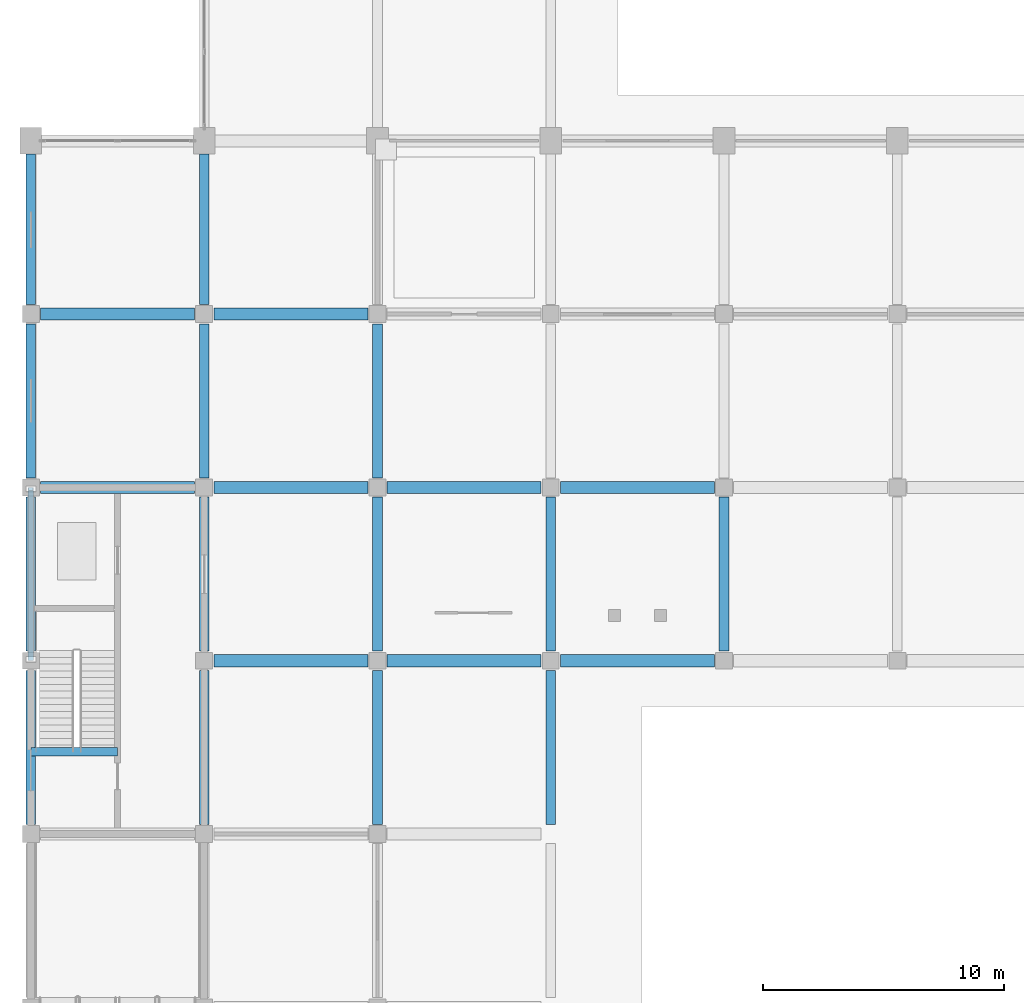
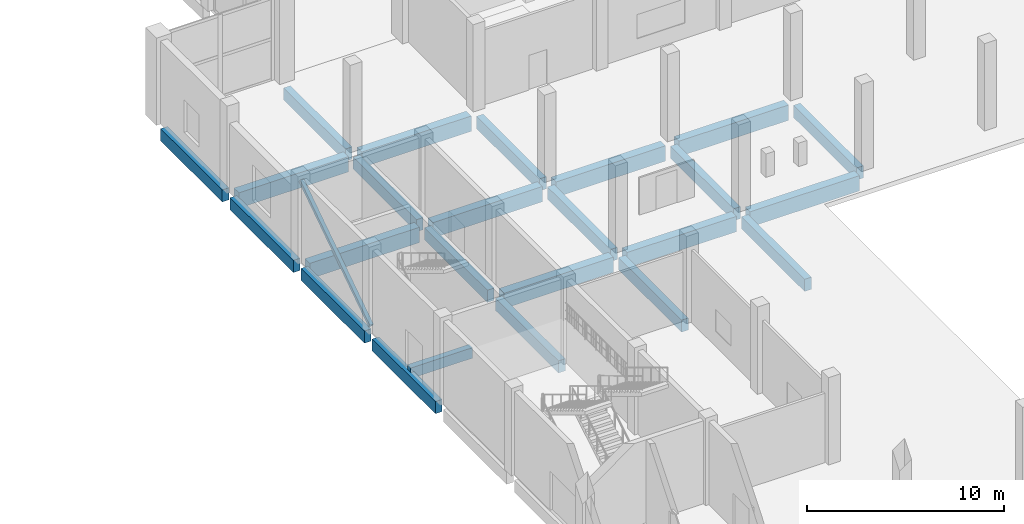
# One storey, part 17 of 70: 24 beams, 1 member.
"""IFC4 building model written with IfcOpenShell, lengths in metres."""

from ifc_helpers import new_model, si_unit, direction, frame, origin, origin_2d, place, context, subcontext, project, spatial, rectangle, hollow_rectangle, extrude, material, material_profile, profile_set, type_object, element, save


model = new_model("IFC4")

# Units and contexts
model_context = context("Model", 3, precision=1e-05, world=origin(), true_north=direction((0.0, 1.0)))
body_context = subcontext(model_context, "Body", "Model", "MODEL_VIEW")
ifc_project = project(units=[si_unit("LENGTHUNIT", "METRE"), si_unit("AREAUNIT", "SQUARE_METRE"), si_unit("VOLUMEUNIT", "CUBIC_METRE"), si_unit("PLANEANGLEUNIT", "RADIAN"), si_unit("MASSUNIT", "GRAM", prefix="KILO")], contexts=[model_context])

# Site, building, storey
site_placement = place(None, origin())
site = spatial("IfcSite", under=ifc_project, at=site_placement, CompositionType="ELEMENT")
building_placement = place(site_placement, origin())
building = spatial("IfcBuilding", under=site, at=building_placement, Name="Vesperath Aquatics Centre", CompositionType="ELEMENT")
storey_placement = place(building_placement, origin())
storey = spatial("IfcBuildingStorey", under=building, at=storey_placement, Name="L00", CompositionType="ELEMENT", Elevation=0.0)

# Beams
ifc_material_1 = material(Name="Concrete C40", Category="concrete")
ifc_material_profile_1 = material_profile(ifc_material_1, rectangle(XDim=0.5, YDim=0.949951171875, at=origin_2d()), Name="RC 500x950")
ifc_profile_set_1 = profile_set([ifc_material_profile_1], Name="Concrete C40")
beam_type_1 = type_object("IfcBeamType", Name="BM-G02", PredefinedType="BEAM", material=ifc_profile_set_1)
for number, where, z_axis, x_axis, name in (
    (1, (0.39990234375, 72.0, -0.7548828125), (1.0, 0.0, 0.0), (0.0, 1.0, 0.0), "Floor Girder B02 L00 L 1-2"),
    (2, (0.39990234375, 79.199951171875, -0.7548828125), (1.0, 0.0, 0.0), (0.0, 1.0, 0.0), "Floor Girder B02 L00 M 1-2"),
):
    element("IfcBeam", number, at=place(storey_placement, frame(where, z_axis=z_axis, x_axis=x_axis)), inside=storey, type_object=beam_type_1, Name=name, PredefinedType="BEAM", context=body_context, shape_type="SweptSolid", body=[
        extrude(rectangle(XDim=0.5, YDim=0.949951171875, at=origin_2d()), origin(), (0.0, 0.0, 1.0), 6.400146484375),
    ])
for number, where, z_axis, x_axis, name in (
    (3, (7.60009765625, 64.800048828125, -0.7548828125), (1.0, 0.0, 0.0), (0.0, 1.0, 0.0), "Floor Girder B02 L00 K 2-3"),
    (4, (7.60009765625, 72.0, -0.7548828125), (1.0, 0.0, 0.0), (0.0, 1.0, 0.0), "Floor Girder B02 L00 L 2-3"),
    (5, (7.60009765625, 79.199951171875, -0.7548828125), (1.0, 0.0, 0.0), (0.0, 1.0, 0.0), "Floor Girder B02 L00 M 2-3"),
    (6, (14.800048828125, 64.800048828125, -0.7548828125), (1.0, 0.0, 0.0), (0.0, 1.0, 0.0), "Floor Girder B02 L00 K 3-4"),
    (7, (14.800048828125, 72.0, -0.7548828125), (1.0, 0.0, 0.0), (0.0, 1.0, 0.0), "Floor Girder B02 L00 L 3-4"),
    (8, (22.0, 64.800048828125, -0.7548828125), (1.0, 0.0, 0.0), (0.0, 1.0, 0.0), "Floor Girder B02 L00 K 4-5"),
    (9, (22.0, 72.0, -0.7548828125), (1.0, 0.0, 0.0), (0.0, 1.0, 0.0), "Floor Girder B02 L00 L 4-5"),
):
    element("IfcBeam", number, at=place(storey_placement, frame(where, z_axis=z_axis, x_axis=x_axis)), inside=storey, type_object=beam_type_1, Name=name, PredefinedType="BEAM", context=body_context, shape_type="SweptSolid", body=[
        extrude(rectangle(XDim=0.5, YDim=0.949951171875, at=origin_2d()), origin(), (0.0, 0.0, 1.0), 6.39990234375),
    ])
ifc_material_2 = material(Name="Concrete C35", Category="concrete")
ifc_material_profile_2 = material_profile(ifc_material_2, rectangle(XDim=0.39990234375, YDim=0.75, at=origin_2d()), Name="RC 400x750")
ifc_profile_set_2 = profile_set([ifc_material_profile_2], Name="Concrete C35")
beam_type_2 = type_object("IfcBeamType", Name="BM-G04", PredefinedType="BEAM", material=ifc_profile_set_2)
beam_1_placement = place(storey_placement, frame((0.0, 58.0, -0.655029296875), z_axis=(0.0, 1.0, 0.0), x_axis=(-1.0, 0.0, 0.0)))
element("IfcBeam", 10, at=beam_1_placement, inside=storey, type_object=beam_type_2, Name="Floor Girder B04 L00 1 J-K", PredefinedType="BEAM", context=body_context, shape_type="SweptSolid", body=[
    extrude(rectangle(XDim=0.39990234375, YDim=0.75, at=origin_2d()), origin(), (0.0, 0.0, 1.0), 6.39990234375),
])
for number, where, z_axis, x_axis, name in (
    (11, (0.0, 65.199951171875, -0.655029296875), (0.0, 1.0, 0.0), (-1.0, 0.0, 0.0), "Floor Girder B04 L00 1 K-L"),
    (12, (0.0, 72.39990234375, -0.655029296875), (0.0, 1.0, 0.0), (-1.0, 0.0, 0.0), "Floor Girder B04 L00 1 L-M"),
):
    element("IfcBeam", number, at=place(storey_placement, frame(where, z_axis=z_axis, x_axis=x_axis)), inside=storey, type_object=beam_type_2, Name=name, PredefinedType="BEAM", context=body_context, shape_type="SweptSolid", body=[
        extrude(rectangle(XDim=0.39990234375, YDim=0.75, at=origin_2d()), origin(), (0.0, 0.0, 1.0), 6.400146484375),
    ])
beam_2_placement = place(storey_placement, frame((0.0, 79.60009765625, -0.655029296875), z_axis=(0.0, 1.0, 0.0), x_axis=(-1.0, 0.0, 0.0)))
element("IfcBeam", 13, at=beam_2_placement, inside=storey, type_object=beam_type_2, Name="Floor Girder B04 L00 1 M-N", PredefinedType="BEAM", context=body_context, shape_type="SweptSolid", body=[
    extrude(rectangle(XDim=0.39990234375, YDim=0.75, at=origin_2d()), origin(), (0.0, 0.0, 1.0), 6.25),
])
beam_3_placement = place(storey_placement, frame((7.199951171875, 58.0, -0.655029296875), z_axis=(0.0, 1.0, 0.0), x_axis=(-1.0, 0.0, 0.0)))
element("IfcBeam", 14, at=beam_3_placement, inside=storey, type_object=beam_type_2, Name="Floor Girder B04 L00 2 J-K", PredefinedType="BEAM", context=body_context, shape_type="SweptSolid", body=[
    extrude(rectangle(XDim=0.39990234375, YDim=0.75, at=origin_2d()), origin(), (0.0, 0.0, 1.0), 6.39990234375),
])
for number, where, z_axis, x_axis, name in (
    (15, (7.199951171875, 65.199951171875, -0.655029296875), (0.0, 1.0, 0.0), (-1.0, 0.0, 0.0), "Floor Girder B04 L00 2 K-L"),
    (16, (7.199951171875, 72.39990234375, -0.655029296875), (0.0, 1.0, 0.0), (-1.0, 0.0, 0.0), "Floor Girder B04 L00 2 L-M"),
):
    element("IfcBeam", number, at=place(storey_placement, frame(where, z_axis=z_axis, x_axis=x_axis)), inside=storey, type_object=beam_type_2, Name=name, PredefinedType="BEAM", context=body_context, shape_type="SweptSolid", body=[
        extrude(rectangle(XDim=0.39990234375, YDim=0.75, at=origin_2d()), origin(), (0.0, 0.0, 1.0), 6.400146484375),
    ])
beam_4_placement = place(storey_placement, frame((7.199951171875, 79.60009765625, -0.655029296875), z_axis=(0.0, 1.0, 0.0), x_axis=(-1.0, 0.0, 0.0)))
element("IfcBeam", 17, at=beam_4_placement, inside=storey, type_object=beam_type_2, Name="Floor Girder B04 L00 2 M-N", PredefinedType="BEAM", context=body_context, shape_type="SweptSolid", body=[
    extrude(rectangle(XDim=0.39990234375, YDim=0.75, at=origin_2d()), origin(), (0.0, 0.0, 1.0), 6.25),
])
beam_5_placement = place(storey_placement, frame((14.39990234375, 58.0, -0.655029296875), z_axis=(0.0, 1.0, 0.0), x_axis=(-1.0, 0.0, 0.0)))
element("IfcBeam", 18, at=beam_5_placement, inside=storey, type_object=beam_type_2, Name="Floor Girder B04 L00 3 J-K", PredefinedType="BEAM", context=body_context, shape_type="SweptSolid", body=[
    extrude(rectangle(XDim=0.39990234375, YDim=0.75, at=origin_2d()), origin(), (0.0, 0.0, 1.0), 6.39990234375),
])
for number, where, z_axis, x_axis, name in (
    (19, (14.39990234375, 65.199951171875, -0.655029296875), (0.0, 1.0, 0.0), (-1.0, 0.0, 0.0), "Floor Girder B04 L00 3 K-L"),
    (20, (14.39990234375, 72.39990234375, -0.655029296875), (0.0, 1.0, 0.0), (-1.0, 0.0, 0.0), "Floor Girder B04 L00 3 L-M"),
):
    element("IfcBeam", number, at=place(storey_placement, frame(where, z_axis=z_axis, x_axis=x_axis)), inside=storey, type_object=beam_type_2, Name=name, PredefinedType="BEAM", context=body_context, shape_type="SweptSolid", body=[
        extrude(rectangle(XDim=0.39990234375, YDim=0.75, at=origin_2d()), origin(), (0.0, 0.0, 1.0), 6.400146484375),
    ])
beam_6_placement = place(storey_placement, frame((21.60009765625, 58.0, -0.655029296875), z_axis=(0.0, 1.0, 0.0), x_axis=(-1.0, 0.0, 0.0)))
element("IfcBeam", 21, at=beam_6_placement, inside=storey, type_object=beam_type_2, Name="Floor Girder B04 L00 4 J-K", PredefinedType="BEAM", context=body_context, shape_type="SweptSolid", body=[
    extrude(rectangle(XDim=0.39990234375, YDim=0.75, at=origin_2d()), origin(), (0.0, 0.0, 1.0), 6.39990234375),
])
for number, where, z_axis, x_axis, name in (
    (22, (21.60009765625, 65.199951171875, -0.655029296875), (0.0, 1.0, 0.0), (-1.0, 0.0, 0.0), "Floor Girder B04 L00 4 K-L"),
    (23, (28.800048828125, 65.199951171875, -0.655029296875), (0.0, 1.0, 0.0), (-1.0, 0.0, 0.0), "Floor Girder B04 L00 5 K-L"),
):
    element("IfcBeam", number, at=place(storey_placement, frame(where, z_axis=z_axis, x_axis=x_axis)), inside=storey, type_object=beam_type_2, Name=name, PredefinedType="BEAM", context=body_context, shape_type="SweptSolid", body=[
        extrude(rectangle(XDim=0.39990234375, YDim=0.75, at=origin_2d()), origin(), (0.0, 0.0, 1.0), 6.400146484375),
    ])
ifc_material_profile_3 = material_profile(ifc_material_2, rectangle(XDim=0.35009765625, YDim=0.64990234375, at=origin_2d()), Name="RC 350x650")
ifc_profile_set_3 = profile_set([ifc_material_profile_3], Name="Concrete C35")
beam_type_3 = type_object("IfcBeamType", Name="BM-G05", PredefinedType="BEAM", material=ifc_profile_set_3)
beam_7_placement = place(storey_placement, frame((0.0, 61.02001953125, -0.324951171875), z_axis=(1.0, 0.0, 0.0), x_axis=(0.0, 1.0, 0.0)))
element("IfcBeam", 24, at=beam_7_placement, inside=storey, type_object=beam_type_3, Name="Stair ST2 Landing Trimmer Beam B05 L00", PredefinedType="BEAM", context=body_context, shape_type="SweptSolid", body=[
    extrude(rectangle(XDim=0.35009765625, YDim=0.64990234375, at=origin_2d()), origin(), (0.0, 0.0, 1.0), 3.60009765625),
])

# Member
ifc_material_3 = material(Name="Steel Q355D", Category="steel")
ifc_material_profile_4 = material_profile(ifc_material_3, hollow_rectangle(XDim=0.219970703125, YDim=0.219970703125, WallThickness=0.010009765625, at=origin_2d()), Name="SHS 220x220x10")
ifc_profile_set_4 = profile_set([ifc_material_profile_4], Name="Steel Q355D")
member_type = type_object("IfcMemberType", Name="MB-BR02", PredefinedType="BRACE", material=ifc_profile_set_4)
member_placement = place(storey_placement, frame((0.0, 64.866455078125, 0.1943359375), z_axis=(0.0, 0.832054716629, 0.554693562731), x_axis=(-1.0, 0.0, 0.0)))
element("IfcMember", 25, at=member_placement, inside=storey, type_object=member_type, Name="Lateral Braced Frame Strut C2_W L00", PredefinedType="BRACE", context=body_context, shape_type="SweptSolid", body=[
    extrude(hollow_rectangle(XDim=0.219970703125, YDim=0.219970703125, WallThickness=0.010009765625, at=origin_2d()), origin(), (0.0, 0.0, 1.0), 8.493408203125),
])

save(model, "model.ifc")
